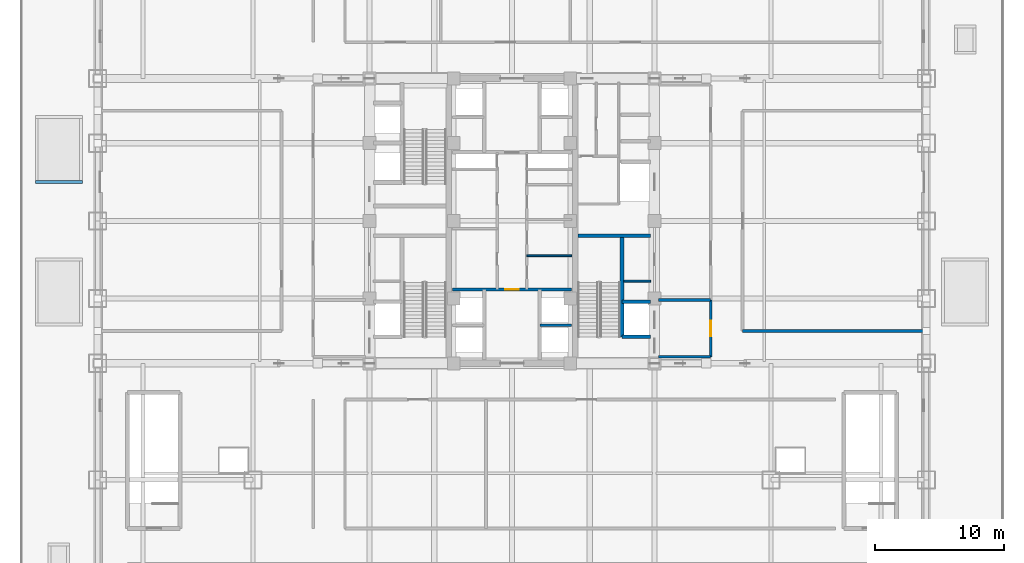
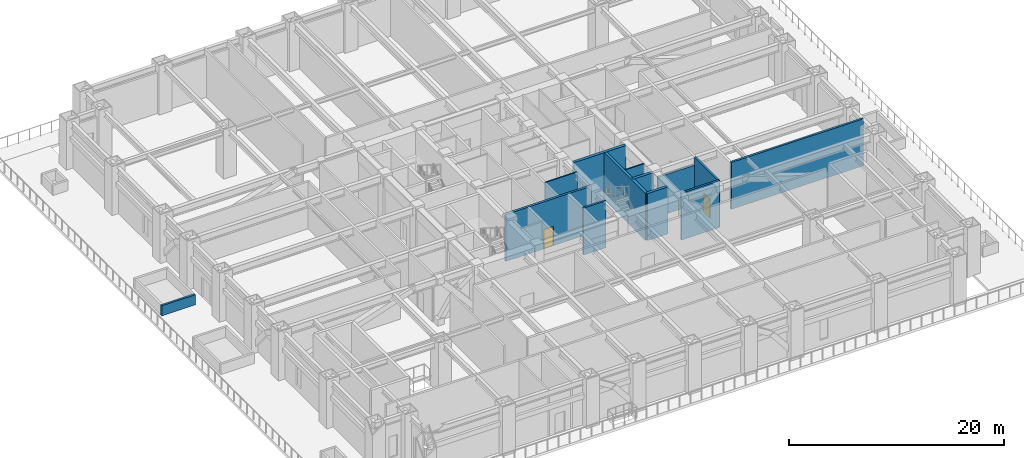
# One storey, part 12 of 21: 13 walls, 2 doors, 2 openings.
"""IFC4 building model written with IfcOpenShell, lengths in metres."""

from ifc_helpers import new_model, si_unit, direction, frame, frame_2d, origin, place, context, subcontext, project, spatial, rectangle, extrude, source, transform, mapped, material, layer, layer_set, type_object, element, fill, save


model = new_model("IFC4")

# Units and contexts
model_context = context("Model", 3, precision=1e-05, world=origin(), true_north=direction((0.0, 1.0)))
body_context = subcontext(model_context, "Body", "Model", "MODEL_VIEW")
ifc_project = project(units=[si_unit("LENGTHUNIT", "METRE"), si_unit("AREAUNIT", "SQUARE_METRE"), si_unit("VOLUMEUNIT", "CUBIC_METRE"), si_unit("PLANEANGLEUNIT", "RADIAN"), si_unit("MASSUNIT", "GRAM", prefix="KILO")], contexts=[model_context])

# Site, building, storey
site_placement = place(None, origin())
site = spatial("IfcSite", under=ifc_project, at=site_placement, CompositionType="ELEMENT")
building_placement = place(site_placement, origin())
building = spatial("IfcBuilding", under=site, at=building_placement, Name="Khorayat Bourse Tower", CompositionType="ELEMENT")
storey_placement = place(building_placement, frame((0.0, 0.0, 27.0)))
storey = spatial("IfcBuildingStorey", under=building, at=storey_placement, Name="L05", CompositionType="ELEMENT", Elevation=27.0)

# Walls
ifc_material_1 = material(Name="Concrete C50/60", Category="concrete")
ifc_layer_1 = layer(ifc_material_1, 0.300048828125)
ifc_layer_set_1 = layer_set([ifc_layer_1], Name="Concrete C50/60")
wall_type_1 = type_object("IfcWallType", Name="WAL-SHAFT-300", PredefinedType="SHEAR", material=ifc_layer_set_1)
shared_shape_1 = source(origin(), body_context, "Body", "SweptSolid", [
    extrude(rectangle(XDim=5.599853515625, YDim=0.300048828125, at=frame_2d((2.7998046875, 0.0))), origin(), (0.0, 0.0, 1.0), 5.340087890625),
])
wall_1_placement = place(storey_placement, frame((5.10009765625, -1.14990234375, 0.0), z_axis=(0.0, 0.0, 1.0), x_axis=(1.0, 0.0, 0.0)))
element("IfcWall", 1, at=wall_1_placement, inside=storey, type_object=wall_type_1, Name="L05 Core Shear Wall ST3-DIV", PredefinedType="SHEAR", context=body_context, shape_type="MappedRepresentation", body=[
    mapped(shared_shape_1, transform((0.0, 0.0, 0.0), scale=1.0)),
])
ifc_material_2 = material(Name="Precast concrete C45/55", Category="concrete")
ifc_layer_2 = layer(ifc_material_2, 0.219970703125)
ifc_layer_set_2 = layer_set([ifc_layer_2], Name="Precast concrete C45/55")
wall_type_2 = type_object("IfcWallType", Name="WAL-PARAPET-220", PredefinedType="PARAPET", material=ifc_layer_set_2)
shared_shape_2 = source(origin(), body_context, "Body", "SweptSolid", [
    extrude(rectangle(XDim=3.64013671875, YDim=0.219970703125, at=frame_2d((1.820068359375, 0.0))), origin(), (0.0, 0.0, 1.0), 1.14990234375),
])
wall_2_placement = place(storey_placement, frame((-36.820068359375, 2.989990234375, 0.050048828125), z_axis=(0.0, 0.0, 1.0), x_axis=(1.0, 0.0, 0.0)))
element("IfcWall", 2, at=wall_2_placement, inside=storey, type_object=wall_type_2, Name="L05 Roof Opening Upstand Curb SKY-L05-N-S", PredefinedType="PARAPET", context=body_context, shape_type="MappedRepresentation", body=[
    mapped(shared_shape_2, transform((0.0, 0.0, 0.0), scale=1.0)),
])
shared_shape_3 = source(origin(), body_context, "Body", "SweptSolid", [
    extrude(rectangle(XDim=7.800048828125, YDim=0.300048828125, at=frame_2d((3.89990234375, 0.0))), origin(), (0.0, 0.0, 1.0), 5.340087890625),
])
wall_3_placement = place(storey_placement, frame((8.5, -8.949951171875, 0.0), z_axis=(0.0, 0.0, 1.0), x_axis=(0.0, 1.0, 0.0)))
element("IfcWall", 3, at=wall_3_placement, inside=storey, type_object=wall_type_1, Name="L05 Partition WAL-L05-EPIER-SP", PredefinedType="SHEAR", context=body_context, shape_type="MappedRepresentation", body=[
    mapped(shared_shape_3, transform((0.0, 0.0, 0.0), scale=1.0)),
])
shared_shape_4 = source(origin(), body_context, "Body", "SweptSolid", [
    extrude(rectangle(XDim=2.199951171875, YDim=0.300048828125, at=frame_2d((1.10009765625, 0.0))), origin(), (0.0, 0.0, 1.0), 5.340087890625),
])
for number, where, z_axis, x_axis, name in (
    (4, (8.5, -8.949951171875, 0.0), (0.0, 0.0, 1.0), (1.0, 0.0, 0.0), "L05 Partition WAL-L05-EPIER-FF2S"),
    (5, (8.5, -6.25, 0.0), (0.0, 0.0, 1.0), (1.0, 0.0, 0.0), "L05 Partition WAL-L05-EPIER-FF2N"),
):
    element("IfcWall", number, at=place(storey_placement, frame(where, z_axis=z_axis, x_axis=x_axis)), inside=storey, type_object=wall_type_1, Name=name, PredefinedType="SHEAR", context=body_context, shape_type="MappedRepresentation", body=[
        mapped(shared_shape_4, transform((0.0, 0.0, 0.0), scale=1.0)),
    ])
ifc_material_3 = material(Name="Gypsum plasterboard twin-frame partition")
ifc_layer_3 = layer(ifc_material_3, 0.14990234375)
ifc_layer_set_3 = layer_set([ifc_layer_3], Name="Gypsum plasterboard twin-frame partition")
wall_type_3 = type_object("IfcWallType", Name="WAL-PART-SUITE-150", PredefinedType="PARTITIONING", material=ifc_layer_set_3)
shared_shape_5 = source(origin(), body_context, "Body", "SweptSolid", [
    extrude(rectangle(XDim=2.050048828125, YDim=0.14990234375, at=frame_2d((1.02490234375, 0.0))), origin(), (0.0, 0.0, 1.0), 5.340087890625),
])
wall_4_placement = place(storey_placement, frame((8.64990234375, -4.64990234375, 0.0), z_axis=(0.0, 0.0, 1.0), x_axis=(1.0, 0.0, 0.0)))
element("IfcWall", 6, at=wall_4_placement, inside=storey, type_object=wall_type_3, Name="L05 Partition WAL-L05-ESRV-S0", PredefinedType="PARTITIONING", context=body_context, shape_type="MappedRepresentation", body=[
    mapped(shared_shape_5, transform((0.0, 0.0, 0.0), scale=1.0)),
])
ifc_material_4 = material(Name="Aerated concrete blockwork", Category="masonry")
ifc_layer_4 = layer(ifc_material_4, 0.219970703125)
ifc_layer_set_4 = layer_set([ifc_layer_4], Name="Aerated concrete blockwork")
wall_type_4 = type_object("IfcWallType", Name="WAL-PART-FF-220", PredefinedType="PARTITIONING", material=ifc_layer_set_4)
shared_shape_6 = source(origin(), body_context, "Body", "SweptSolid", [
    extrude(rectangle(XDim=4.050048828125, YDim=0.219970703125, at=frame_2d((2.02490234375, 0.0))), origin(), (0.0, 0.0, 1.0), 5.340087890625),
])
wall_5_placement = place(storey_placement, frame((11.300048828125, -10.5, 0.0), z_axis=(0.0, 0.0, 1.0), x_axis=(1.0, 0.0, 0.0)))
element("IfcWall", 7, at=wall_5_placement, inside=storey, type_object=wall_type_4, Name="L05 Partition WAL-L05-FFLE-S", PredefinedType="PARTITIONING", context=body_context, shape_type="MappedRepresentation", body=[
    mapped(shared_shape_6, transform((0.0, 0.0, 0.0), scale=1.0)),
])
shared_shape_7 = source(origin(), body_context, "Body", "SweptSolid", [
    extrude(rectangle(XDim=4.050048828125, YDim=0.219970703125, at=frame_2d((2.02490234375, 0.0))), origin(), (0.0, 0.0, 1.0), 4.485107421875),
])
wall_6_placement = place(storey_placement, frame((11.300048828125, -6.10009765625, 0.0), z_axis=(0.0, 0.0, 1.0), x_axis=(1.0, 0.0, 0.0)))
element("IfcWall", 8, at=wall_6_placement, inside=storey, type_object=wall_type_4, Name="L05 Partition WAL-L05-FFLE-N", PredefinedType="PARTITIONING", context=body_context, shape_type="MappedRepresentation", body=[
    mapped(shared_shape_7, transform((0.0, 0.0, 0.0), scale=1.0)),
])

# Wall, opening, door
shared_shape_8 = source(origin(), body_context, "Body", "SweptSolid", [
    extrude(rectangle(XDim=4.39990234375, YDim=0.219970703125, at=frame_2d((2.199951171875, 0.0))), origin(), (0.0, 0.0, 1.0), 5.340087890625),
])
wall_7_placement = place(storey_placement, frame((15.35009765625, -10.5, 0.0), z_axis=(0.0, 0.0, 1.0), x_axis=(0.0, 1.0, 0.0)))
wall_7 = element("IfcWall", 9, at=wall_7_placement, inside=storey, type_object=wall_type_4, Name="L05 Partition WAL-L05-FFLE-E", PredefinedType="PARTITIONING", context=body_context, shape_type="MappedRepresentation", body=[
    mapped(shared_shape_8, transform((0.0, 0.0, 0.0), scale=1.0)),
])
shared_shape_9 = source(origin(), body_context, "Body", "SweptSolid", [
    extrude(rectangle(XDim=1.199951171875, YDim=2.199951171875, at=frame_2d((0.60009765625, 1.10009765625))), frame((0.0, 0.119873046875, 0.0), z_axis=(0.0, -1.0, 0.0), x_axis=(1.0, 0.0, 0.0)), (0.0, 0.0, 1.0), 0.239990234375),
])
opening_1_placement = place(wall_7_placement, frame((1.60009765625, 0.0, 0.0)))
opening_1 = element("IfcOpeningElement", 10, at=opening_1_placement, cuts=wall_7, Name="Opening DI-02", PredefinedType="OPENING", context=body_context, shape_type="MappedRepresentation", body=[
    mapped(shared_shape_9, transform((0.0, 0.0, 0.0), scale=1.0)),
])
ifc_material_5 = material(Name="Fire-rated steel double-seal leaf", Category="steel")
door_type_1 = type_object("IfcDoorType", Name="DR-INT-FFLOBBY-1200", OperationType="NOTDEFINED", PredefinedType="DOOR", material=ifc_material_5)
shared_shape_10 = source(origin(), body_context, "Body", "SweptSolid", [
    extrude(rectangle(XDim=1.199951171875, YDim=2.199951171875, at=frame_2d((0.60009765625, 1.10009765625))), frame((0.0, 0.02490234375, 0.0), z_axis=(0.0, -1.0, 0.0), x_axis=(1.0, 0.0, 0.0)), (0.0, 0.0, 1.0), 0.050048828125),
])
door_1_placement = place(opening_1_placement, origin())
door_1 = element("IfcDoor", 11, at=door_1_placement, inside=storey, type_object=door_type_1, Name="L05 East Firefighting Lobby Door", OperationType="SINGLE_SWING_RIGHT", OverallHeight=2.199951171875, OverallWidth=1.199951171875, PredefinedType="DOOR", context=body_context, shape_type="MappedRepresentation", body=[
    mapped(shared_shape_10, transform((0.0, 0.0, 0.0), scale=1.0)),
])
fill(opening_1, door_1)

# Wall
shared_shape_11 = source(origin(), body_context, "Body", "SweptSolid", [
    extrude(rectangle(XDim=2.4501953125, YDim=0.199951171875, at=frame_2d((1.22509765625, 0.0))), origin(), (0.0, 0.0, 1.0), 5.340087890625),
])
wall_8_placement = place(storey_placement, frame((2.14990234375, -8.050048828125, 0.0), z_axis=(0.0, 0.0, 1.0), x_axis=(1.0, 0.0, 0.0)))
element("IfcWall", 12, at=wall_8_placement, inside=storey, type_object=wall_type_1, Name="L05 Partition WAL-L05-B1-ME", PredefinedType="SHEAR", context=body_context, shape_type="MappedRepresentation", body=[
    mapped(shared_shape_11, transform((0.0, 0.0, 0.0), scale=1.0)),
])

# Wall, opening, door
shared_shape_12 = source(origin(), body_context, "Body", "SweptSolid", [
    extrude(rectangle(XDim=9.2001953125, YDim=0.25, at=frame_2d((4.60009765625, 0.0))), origin(), (0.0, 0.0, 1.0), 5.340087890625),
])
wall_9_placement = place(storey_placement, frame((-4.60009765625, -5.300048828125, 0.0), z_axis=(0.0, 0.0, 1.0), x_axis=(1.0, 0.0, 0.0)))
wall_9 = element("IfcWall", 13, at=wall_9_placement, inside=storey, type_object=wall_type_1, Name="L05 Partition WAL-L05-B1-N", PredefinedType="SHEAR", context=body_context, shape_type="MappedRepresentation", body=[
    mapped(shared_shape_12, transform((0.0, 0.0, 0.0), scale=1.0)),
])
shared_shape_13 = source(origin(), body_context, "Body", "SweptSolid", [
    extrude(rectangle(XDim=1.050048828125, YDim=2.199951171875, at=frame_2d((0.52490234375, 1.10009765625))), frame((0.0, 0.135009765625, 0.0), z_axis=(0.0, -1.0, 0.0), x_axis=(1.0, 0.0, 0.0)), (0.0, 0.0, 1.0), 0.27001953125),
])
opening_2_placement = place(wall_9_placement, frame((4.074951171875, 0.0, 0.0)))
opening_2 = element("IfcOpeningElement", 14, at=opening_2_placement, cuts=wall_9, Name="Opening DI-04", PredefinedType="OPENING", context=body_context, shape_type="MappedRepresentation", body=[
    mapped(shared_shape_13, transform((0.0, 0.0, 0.0), scale=1.0)),
])
ifc_material_6 = material(Name="Fire-rated oak veneer suite entrance door")
door_type_2 = type_object("IfcDoorType", Name="DR-INT-SUITE-1050", OperationType="NOTDEFINED", PredefinedType="DOOR", material=ifc_material_6)
shared_shape_14 = source(origin(), body_context, "Body", "SweptSolid", [
    extrude(rectangle(XDim=1.050048828125, YDim=2.199951171875, at=frame_2d((0.52490234375, 1.10009765625))), frame((0.0, 0.02490234375, 0.0), z_axis=(0.0, -1.0, 0.0), x_axis=(1.0, 0.0, 0.0)), (0.0, 0.0, 1.0), 0.050048828125),
])
door_2_placement = place(opening_2_placement, origin())
door_2 = element("IfcDoor", 15, at=door_2_placement, inside=storey, type_object=door_type_2, Name="L05 Core Spine South Door", OperationType="SINGLE_SWING_LEFT", OverallHeight=2.199951171875, OverallWidth=1.050048828125, PredefinedType="DOOR", context=body_context, shape_type="MappedRepresentation", body=[
    mapped(shared_shape_14, transform((0.0, 0.0, 0.0), scale=1.0)),
])
fill(opening_2, door_2)

# Walls
ifc_material_7 = material(Name="Moisture-resistant masonry partition", Category="masonry")
ifc_layer_5 = layer(ifc_material_7, 0.139892578125)
ifc_layer_set_5 = layer_set([ifc_layer_5], Name="Moisture-resistant masonry partition")
wall_type_5 = type_object("IfcWallType", Name="WAL-PART-WET-140", PredefinedType="PARTITIONING", material=ifc_layer_set_5)
shared_shape_15 = source(origin(), body_context, "Body", "SweptSolid", [
    extrude(rectangle(XDim=3.4501953125, YDim=0.139892578125, at=frame_2d((1.72509765625, 0.0))), origin(), (0.0, 0.0, 1.0), 5.340087890625),
])
wall_10_placement = place(storey_placement, frame((1.14990234375, -2.699951171875, 0.0), z_axis=(0.0, 0.0, 1.0), x_axis=(1.0, 0.0, 0.0)))
element("IfcWall", 16, at=wall_10_placement, inside=storey, type_object=wall_type_5, Name="L05 Partition WAL-L05-CME-D1", PredefinedType="PARTITIONING", context=body_context, shape_type="MappedRepresentation", body=[
    mapped(shared_shape_15, transform((0.0, 0.0, 0.0), scale=1.0)),
])
shared_shape_16 = source(origin(), body_context, "Body", "SweptSolid", [
    extrude(rectangle(XDim=14.199951171875, YDim=0.219970703125, at=frame_2d((7.10009765625, 0.0))), origin(), (0.0, 0.0, 1.0), 5.340087890625),
])
wall_11_placement = place(storey_placement, frame((17.800048828125, -8.5, 0.0), z_axis=(0.0, 0.0, 1.0), x_axis=(1.0, 0.0, 0.0)))
element("IfcWall", 17, at=wall_11_placement, inside=storey, type_object=wall_type_4, Name="L05 Partition WAL-L05-PLE-S", PredefinedType="PARTITIONING", context=body_context, shape_type="MappedRepresentation", body=[
    mapped(shared_shape_16, transform((0.0, 0.0, 0.0), scale=1.0)),
])

save(model, "model.ifc")
